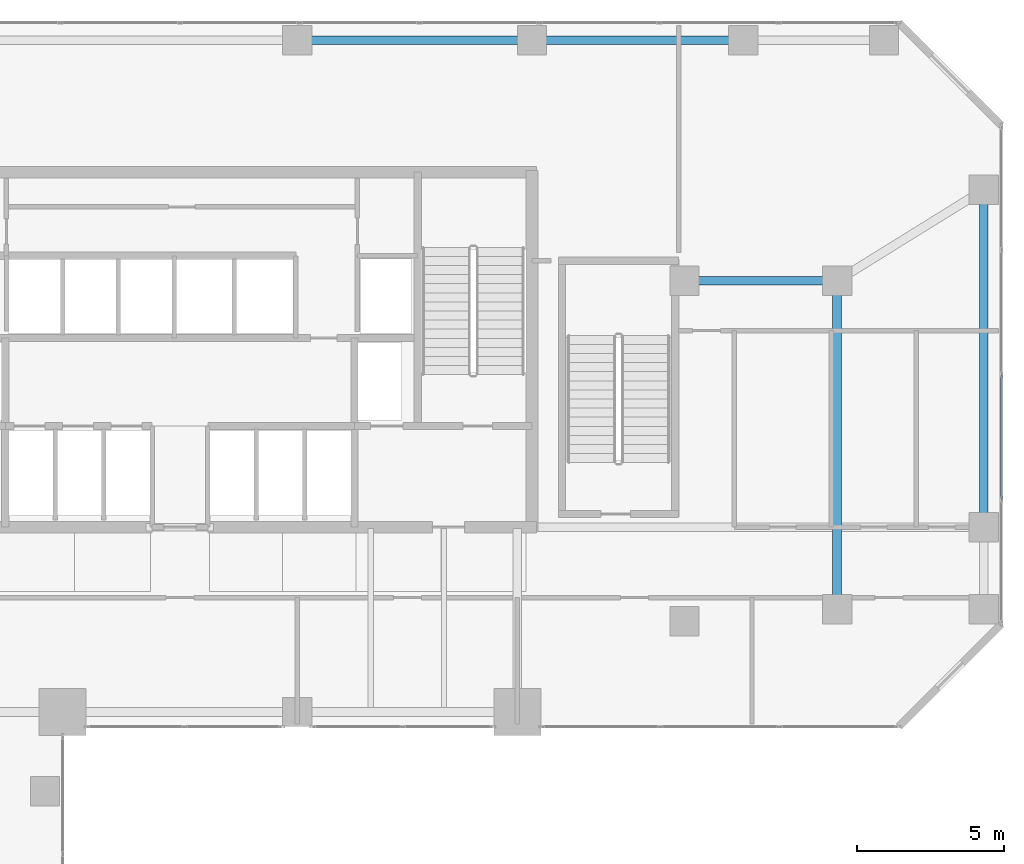
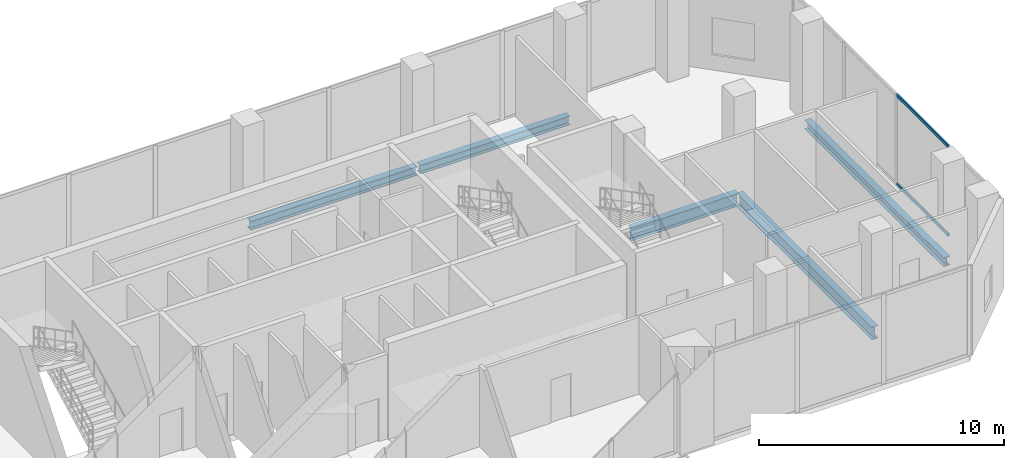
# One storey, part 16 of 24: 5 beams, 2 members, 1 element without a shape of its own.
"""IFC4 building model written with IfcOpenShell, lengths in metres."""

import ifcopenshell
import ifcopenshell.guid

model = None  # the IFC model being written
_history = None  # IfcOwnerHistory: only IFC2X3 demands one
_inside = {}  # id of a spatial element -> (the spatial element, [elements in it])
_under = {}  # id of a project, library or spatial element -> (it, [spatial elements below it])
_declared = {}  # id of a project -> (the project, [libraries it declares])
_typed = {}  # id of a type object -> (the type object, [elements of that type])
_made_of = {}  # id of a material, layer set ... -> (it, [elements and type objects made of it])


def new_model(schema):
    """Start an empty IFC model of exactly this schema.

    Asked for "IFC4X3", IfcOpenShell would pick the latest addendum, in which some entities
    have other attributes; the version numbers below select the first issue.
    IFC2X3 requires an IfcOwnerHistory on every rooted entity: one is made here for all.
    """
    global model, _history
    if schema == "IFC4X3":
        model = ifcopenshell.file(schema_version=(4, 3, 0, 0))
    else:
        model = ifcopenshell.file(schema=schema)
    _inside.clear()
    _under.clear()
    _declared.clear()
    _typed.clear()
    _made_of.clear()
    _history = None
    if model.schema == "IFC2X3":
        org = make("IfcOrganization", Name="unknown")
        user = make(
            "IfcPersonAndOrganization",
            ThePerson=make("IfcPerson", FamilyName="unknown"),
            TheOrganization=org,
        )
        app = make(
            "IfcApplication",
            ApplicationDeveloper=org,
            Version="unknown",
            ApplicationFullName="unknown",
            ApplicationIdentifier="unknown",
        )
        _history = make(
            "IfcOwnerHistory",
            OwningUser=user,
            OwningApplication=app,
            ChangeAction="ADDED",
            CreationDate=0,
        )
    return model


def make(cls, **values):
    """One entity of the class cls with the attributes given. An attribute that is None is left unset."""
    return model.create_entity(
        cls, **{name: value for name, value in values.items() if value is not None}
    )


def rooted(cls, **values):
    """An entity with a GlobalId (a new one), such as an element, a storey or a relation."""
    return make(cls, GlobalId=ifcopenshell.guid.new(), OwnerHistory=_history, **values)


def si_unit(unit_type, name, prefix=None):
    """IfcSIUnit, for example si_unit("LENGTHUNIT", "METRE", prefix="MILLI")."""
    return make("IfcSIUnit", UnitType=unit_type, Prefix=prefix, Name=name)


def assignment(units):
    """IfcUnitAssignment: the units of a project."""
    return None if units is None else make("IfcUnitAssignment", Units=units)


def point(xyz):
    """IfcCartesianPoint."""
    return None if xyz is None else make("IfcCartesianPoint", Coordinates=xyz)


def direction(xyz):
    """IfcDirection."""
    return None if xyz is None else make("IfcDirection", DirectionRatios=xyz)


def frame(location, z_axis=None, x_axis=None):
    """IfcAxis2Placement3D, a coordinate frame: its origin and axes. An axis left out is left unset."""
    return make(
        "IfcAxis2Placement3D",
        Location=point(location),
        Axis=direction(z_axis),
        RefDirection=direction(x_axis),
    )


def frame_2d(location, x_axis=None):
    """IfcAxis2Placement2D, a coordinate frame in the plane: its origin and x axis."""
    return make(
        "IfcAxis2Placement2D", Location=point(location), RefDirection=direction(x_axis)
    )


def origin():
    """The frame at (0, 0, 0) with its axes left unset."""
    return frame((0.0, 0.0, 0.0))


def origin_2d():
    """The frame at (0, 0) in the plane with its x axis left unset."""
    return frame_2d((0.0, 0.0))


def place(relative_to, where):
    """IfcLocalPlacement: puts the frame where relative to a parent placement (None: the world)."""
    return make(
        "IfcLocalPlacement", PlacementRelTo=relative_to, RelativePlacement=where
    )


def context(
    kind, dimensions, precision=None, world=None, true_north=None, identifier=None
):
    """IfcGeometricRepresentationContext, for example the 3D "Model" context."""
    return make(
        "IfcGeometricRepresentationContext",
        ContextIdentifier=identifier,
        ContextType=kind,
        CoordinateSpaceDimension=dimensions,
        Precision=precision,
        WorldCoordinateSystem=world,
        TrueNorth=true_north,
    )


def subcontext(parent, identifier, kind, view, scale=None):
    """IfcGeometricRepresentationSubContext, for example "Body" below "Model"."""
    return make(
        "IfcGeometricRepresentationSubContext",
        ContextIdentifier=identifier,
        ContextType=kind,
        ParentContext=parent,
        TargetScale=scale,
        TargetView=view,
    )


def project(units=None, contexts=None):
    """IfcProject with its units and contexts."""
    return rooted(
        "IfcProject",
        Name="project",
        RepresentationContexts=contexts,
        UnitsInContext=assignment(units),
    )


def spatial(cls, under=None, at=None, **own):
    """A site, building, storey or space (cls), placed at a placement, below another one or the project."""
    s = rooted(cls, ObjectPlacement=at, **own)
    if under is not None:
        _under.setdefault(under.id(), (under, []))[1].append(s)
    return s


def profile(cls, at=None, kind="AREA", **sizes):
    """A parametric profile (cls). Its sizes go by their IFC names, for example OverallWidth=200.0."""
    return make(cls, ProfileType=kind, Position=at, **sizes)


def hollow_rectangle(**sizes):
    """IfcRectangleHollowProfileDef."""
    return profile("IfcRectangleHollowProfileDef", **sizes)


def i_section(**sizes):
    """IfcIShapeProfileDef."""
    return profile("IfcIShapeProfileDef", **sizes)


def extrude(swept, where, along, depth):
    """IfcExtrudedAreaSolid: the profile swept, set in the frame where, extruded along a direction by depth."""
    return make(
        "IfcExtrudedAreaSolid",
        SweptArea=swept,
        Position=where,
        ExtrudedDirection=direction(along),
        Depth=depth,
    )


def shape(context_of_items, identifier, shape_type, items):
    """IfcShapeRepresentation: the items that make up one representation, for example the "Body"."""
    return make(
        "IfcShapeRepresentation",
        ContextOfItems=context_of_items,
        RepresentationIdentifier=identifier,
        RepresentationType=shape_type,
        Items=items,
    )


def material(Name=None, Category=None):
    """IfcMaterial."""
    return make("IfcMaterial", Name=Name, Category=Category)


def layer(
    of_material, thickness, ventilated=None, Name=None, Category=None, Priority=None
):
    """IfcMaterialLayer: one layer of a wall or slab, of a material (None: an air gap)."""
    return make(
        "IfcMaterialLayer",
        Material=of_material,
        LayerThickness=thickness,
        IsVentilated=ventilated,
        Name=Name,
        Category=Category,
        Priority=Priority,
    )


def layer_set(layers, Name=None):
    """IfcMaterialLayerSet."""
    return make("IfcMaterialLayerSet", MaterialLayers=layers, LayerSetName=Name)


def material_profile(
    of_material, cross_section, Name=None, Category=None, Priority=None
):
    """IfcMaterialProfile: a cross section and its material."""
    return make(
        "IfcMaterialProfile",
        Name=Name,
        Material=of_material,
        Profile=cross_section,
        Priority=Priority,
        Category=Category,
    )


def profile_set(profiles, Name=None, composite=None):
    """IfcMaterialProfileSet."""
    return make(
        "IfcMaterialProfileSet",
        Name=Name,
        MaterialProfiles=profiles,
        CompositeProfile=composite,
    )


def made_of(thing, what):
    """Note that an element or type object is made of a material, layer set ...; save() writes the relation."""
    if what is not None:
        _made_of.setdefault(what.id(), (what, []))[1].append(thing)
    return thing


def type_object(cls, material=None, **own):
    """A type object (cls), such as IfcWallType, which elements share."""
    return made_of(rooted(cls, **own), material)


def element(
    cls,
    number,
    at=None,
    inside=None,
    cuts=None,
    type_object=None,
    material=None,
    context=None,
    identifier="Body",
    shape_type=None,
    held_by="IfcProductDefinitionShape",
    body=None,
    shapes=None,
    **own,
):
    """One element of the class cls, such as IfcWall. Its Tag is "e" and its number.

    at: its placement. inside: the storey or other place that contains it. cuts: it is an
    opening in that element (IfcRelVoidsElement). A single representation is given by context,
    identifier, shape_type and body (its items); several are given by shapes. held_by: the class
    of the entity that holds the representations. save() writes the other relations.
    """
    e = rooted(cls, Tag="e%d" % number, ObjectPlacement=at, **own)
    if body is not None:
        shapes = [shape(context, identifier, shape_type, body)]
    if shapes is not None:
        e.Representation = make(held_by, Representations=shapes)
    if inside is not None:
        _inside.setdefault(inside.id(), (inside, []))[1].append(e)
    if cuts is not None:
        rooted(
            "IfcRelVoidsElement", RelatingBuildingElement=cuts, RelatedOpeningElement=e
        )
    if type_object is not None:
        _typed.setdefault(type_object.id(), (type_object, []))[1].append(e)
    return made_of(e, material)


def aggregate(whole, parts):
    """IfcRelAggregates: a whole, such as a stair, and the parts it consists of."""
    return rooted("IfcRelAggregates", RelatingObject=whole, RelatedObjects=parts)


def save(model, path):
    """Write the relations noted so far, then the file.

    IfcRelAggregates (storeys below a building ...), IfcRelContainedInSpatialStructure (elements
    in a storey), IfcRelDefinesByType, IfcRelAssociatesMaterial and IfcRelDeclares: one each for
    every whole, place, type object, material and project.
    """
    for whole, parts in _under.values():
        aggregate(whole, parts)
    for where, things in _inside.values():
        rooted(
            "IfcRelContainedInSpatialStructure",
            RelatedElements=things,
            RelatingStructure=where,
        )
    for kind, things in _typed.values():
        rooted("IfcRelDefinesByType", RelatedObjects=things, RelatingType=kind)
    for what, things in _made_of.values():
        rooted("IfcRelAssociatesMaterial", RelatedObjects=things, RelatingMaterial=what)
    for by, libraries in _declared.values():
        rooted("IfcRelDeclares", RelatingContext=by, RelatedDefinitions=libraries)
    model.write(path)


model = new_model("IFC4")

# Units and contexts
model_context = context("Model", 3, precision=1e-05, world=origin(), true_north=direction((0.0, 1.0)))
body_context = subcontext(model_context, "Body", "Model", "MODEL_VIEW")
ifc_project = project(units=[si_unit("LENGTHUNIT", "METRE"), si_unit("AREAUNIT", "SQUARE_METRE"), si_unit("VOLUMEUNIT", "CUBIC_METRE"), si_unit("PLANEANGLEUNIT", "RADIAN"), si_unit("MASSUNIT", "GRAM", prefix="KILO")], contexts=[model_context])

# Site, building, storey
site_placement = place(None, origin())
site = spatial("IfcSite", under=ifc_project, at=site_placement, CompositionType="ELEMENT")
building_placement = place(site_placement, origin())
building = spatial("IfcBuilding", under=site, at=building_placement, Name="Catumbela Crestline Tower", CompositionType="ELEMENT")
storey_placement = place(building_placement, frame((0.0, 0.0, 11.1)))
storey = spatial("IfcBuildingStorey", under=building, at=storey_placement, Name="L02", CompositionType="ELEMENT", Elevation=11.1)

# Beams
ifc_material_1 = material(Name="Structural steel S355J2", Category="steel")
ifc_material_profile_1 = material_profile(ifc_material_1, i_section(OverallWidth=0.3, OverallDepth=0.64, WebThickness=0.0135, FlangeThickness=0.026, FilletRadius=0.027, at=origin_2d()), Name="HEA 650")
ifc_profile_set_1 = profile_set([ifc_material_profile_1], Name="Structural steel S355J2")
beam_type_1 = type_object("IfcBeamType", Name="BG-HEA650", PredefinedType="BEAM", material=ifc_profile_set_1)
beam_1_placement = place(storey_placement, frame((45.28, 39.2, -0.64), z_axis=(1.0, 0.0, 0.0), x_axis=(0.0, 1.0, 0.0)))
element("IfcBeam", 1, at=beam_1_placement, inside=storey, type_object=beam_type_1, Name="L02 Beam BM-L02-N15", PredefinedType="BEAM", context=body_context, shape_type="SweptSolid", body=[
    extrude(i_section(OverallWidth=0.3, OverallDepth=0.64, WebThickness=0.0135, FlangeThickness=0.026, FilletRadius=0.027, at=origin_2d()), origin(), (0.0, 0.0, 1.0), 5.04),
])
beam_2_placement = place(storey_placement, frame((50.4, 28.08, -0.64), z_axis=(0.0, 1.0, 0.0), x_axis=(-1.0, 0.0, 0.0)))
element("IfcBeam", 2, at=beam_2_placement, inside=storey, type_object=beam_type_1, Name="L02 Beam BM-L02-SN34", PredefinedType="BEAM", context=body_context, shape_type="SweptSolid", body=[
    extrude(i_section(OverallWidth=0.3, OverallDepth=0.64, WebThickness=0.0135, FlangeThickness=0.026, FilletRadius=0.027, at=origin_2d()), origin(), (0.0, 0.0, 1.0), 11.04),
])
ifc_material_profile_2 = material_profile(ifc_material_1, i_section(OverallWidth=0.3, OverallDepth=0.45, WebThickness=0.014, FlangeThickness=0.026, FilletRadius=0.027, at=origin_2d()), Name="HEB 450")
ifc_profile_set_2 = profile_set([ifc_material_profile_2], Name="Structural steel S355J2")
beam_type_2 = type_object("IfcBeamType", Name="BS-HEB450", PredefinedType="SPANDREL", material=ifc_profile_set_2)
beam_3_placement = place(storey_placement, frame((32.08, 47.4, -0.545), z_axis=(1.0, 0.0, 0.0), x_axis=(0.0, 1.0, 0.0)))
element("IfcBeam", 3, at=beam_3_placement, inside=storey, type_object=beam_type_2, Name="L02 Spandrel SP-L02-NF20", PredefinedType="SPANDREL", context=body_context, shape_type="SweptSolid", body=[
    extrude(i_section(OverallWidth=0.3, OverallDepth=0.45, WebThickness=0.014, FlangeThickness=0.026, FilletRadius=0.027, at=origin_2d()), origin(), (0.0, 0.0, 1.0), 7.84),
])
beam_4_placement = place(storey_placement, frame((40.08, 47.4, -0.545), z_axis=(1.0, 0.0, 0.0), x_axis=(0.0, 1.0, 0.0)))
element("IfcBeam", 4, at=beam_4_placement, inside=storey, type_object=beam_type_2, Name="L02 Spandrel SP-L02-NF21", PredefinedType="SPANDREL", context=body_context, shape_type="SweptSolid", body=[
    extrude(i_section(OverallWidth=0.3, OverallDepth=0.45, WebThickness=0.014, FlangeThickness=0.026, FilletRadius=0.027, at=origin_2d()), origin(), (0.0, 0.0, 1.0), 7.04),
])
beam_5_placement = place(storey_placement, frame((55.4, 30.88, -0.545), z_axis=(0.0, 1.0, 0.0), x_axis=(-1.0, 0.0, 0.0)))
element("IfcBeam", 5, at=beam_5_placement, inside=storey, type_object=beam_type_2, Name="L02 Spandrel SP-L02-SN36", PredefinedType="SPANDREL", context=body_context, shape_type="SweptSolid", body=[
    extrude(i_section(OverallWidth=0.3, OverallDepth=0.45, WebThickness=0.014, FlangeThickness=0.026, FilletRadius=0.027, at=origin_2d()), origin(), (0.0, 0.0, 1.0), 11.34),
])

# Curtain wall, members
ifc_material_2 = material(Name="Aluminium alloy AW-6060-T66", Category="aluminium")
ifc_layer = layer(ifc_material_2, 0.18, Name="Aluminium alloy AW-6060-T66")
ifc_layer_set = layer_set([ifc_layer], Name="Aluminium alloy AW-6060-T66")
curtain_wall_type = type_object("IfcCurtainWallType", Name="CWS-POD", PredefinedType="USERDEFINED", material=ifc_layer_set)
curtain_wall_placement = place(storey_placement, origin())
curtain_wall = element("IfcCurtainWall", 6, at=curtain_wall_placement, inside=storey, type_object=curtain_wall_type, Name="L02 Stick Curtain Wall CW-L02-E5S1", ObjectType="STICK", PredefinedType="USERDEFINED")
ifc_material_profile_3 = material_profile(ifc_material_2, hollow_rectangle(XDim=0.075, YDim=0.15, WallThickness=0.0045, at=origin_2d()), Name="ALU 150x75x4.5")
ifc_profile_set_3 = profile_set([ifc_material_profile_3], Name="Aluminium alloy AW-6060-T66")
member_type = type_object("IfcMemberType", Name="TRN-150X75", PredefinedType="USERDEFINED", material=ifc_profile_set_3)
member_1_placement = place(storey_placement, frame((56.0, 31.7825, 0.03), z_axis=(0.0, 1.0, 0.0), x_axis=(-1.0, 0.0, 0.0)))
member_1 = element("IfcMember", 7, at=member_1_placement, type_object=member_type, Name="CWS-POD transom 2.1", ObjectType="TRANSOM", PredefinedType="USERDEFINED", context=body_context, shape_type="SweptSolid", body=[
    extrude(hollow_rectangle(XDim=0.075, YDim=0.15, WallThickness=0.0045, at=origin_2d()), origin(), (0.0, 0.0, 1.0), 4.185),
])
member_2_placement = place(storey_placement, frame((56.0, 31.7825, 4.44), z_axis=(0.0, 1.0, 0.0), x_axis=(-1.0, 0.0, 0.0)))
member_2 = element("IfcMember", 8, at=member_2_placement, type_object=member_type, Name="CWS-POD transom 2.2", ObjectType="TRANSOM", PredefinedType="USERDEFINED", context=body_context, shape_type="SweptSolid", body=[
    extrude(hollow_rectangle(XDim=0.075, YDim=0.15, WallThickness=0.0045, at=origin_2d()), origin(), (0.0, 0.0, 1.0), 4.185),
])
aggregate(curtain_wall, [member_1, member_2])

save(model, "model.ifc")
